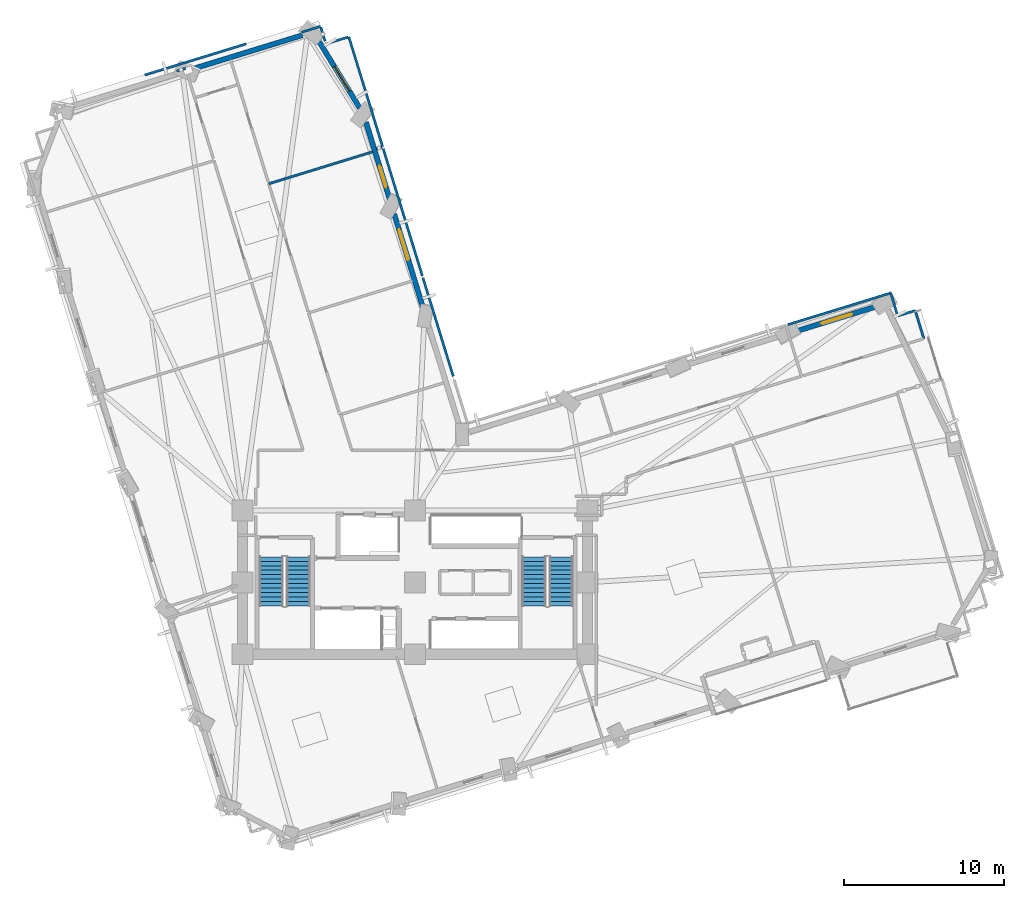
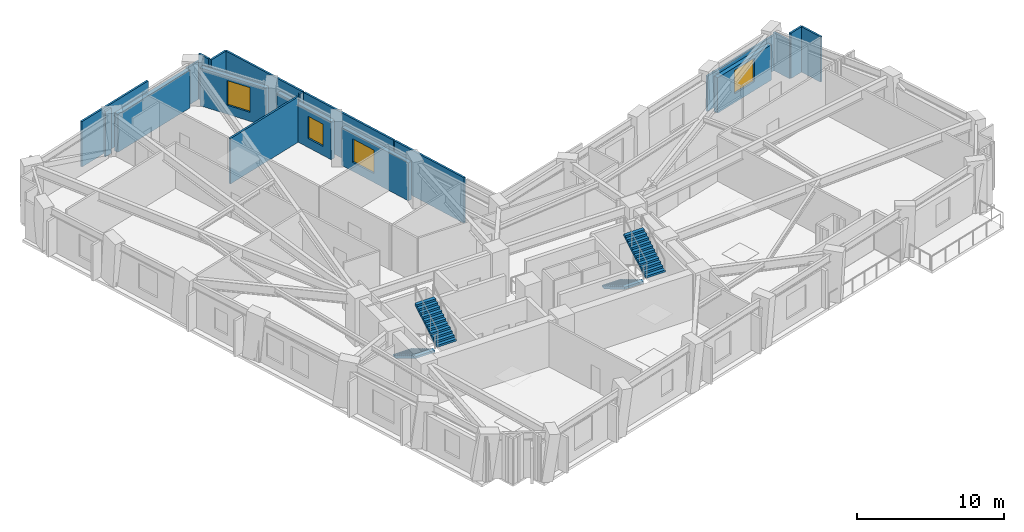
# One storey, part 10 of 14: 19 walls, 4 stair flights, 4 windows, 4 openings, 2 elements without a shape of their own.
"""IFC4 building model written with IfcOpenShell, lengths in metres."""

from ifc_helpers import new_model, si_unit, direction, frame, frame_2d, origin, place, context, subcontext, project, spatial, polyline, rectangle, outline, extrude, material, layer, layer_set, type_object, element, fill, aggregate, save


model = new_model("IFC4")

# Units and contexts
model_context = context("Model", 3, precision=1e-05, world=origin(), true_north=direction((0.0, 1.0)))
body_context = subcontext(model_context, "Body", "Model", "MODEL_VIEW")
ifc_project = project(units=[si_unit("LENGTHUNIT", "METRE"), si_unit("AREAUNIT", "SQUARE_METRE"), si_unit("VOLUMEUNIT", "CUBIC_METRE"), si_unit("PLANEANGLEUNIT", "RADIAN"), si_unit("MASSUNIT", "GRAM", prefix="KILO")], contexts=[model_context])

# Site, building, storey
site_placement = place(None, origin())
site = spatial("IfcSite", under=ifc_project, at=site_placement, CompositionType="ELEMENT")
building_placement = place(site_placement, origin())
building = spatial("IfcBuilding", under=site, at=building_placement, Name="Gaonmaruhae Medical Tower", CompositionType="ELEMENT")
storey_placement = place(building_placement, frame((0.0, 0.0, 96.39990234375)))
storey = spatial("IfcBuildingStorey", under=building, at=storey_placement, Name="L22", CompositionType="ELEMENT", Elevation=96.39990234375)

# Wall, opening, window
ifc_material_1 = material(Name="Precast concrete C45/55", Category="concrete")
ifc_layer_1 = layer(ifc_material_1, 0.320068359375)
ifc_layer_set_1 = layer_set([ifc_layer_1], Name="Precast concrete C45/55")
wall_type_1 = type_object("IfcWallType", Name="EW-320 Lower Precast Masonry-Frame Facade Wall", PredefinedType="SOLIDWALL", material=ifc_layer_set_1)
wall_1_placement = place(storey_placement, frame((48.612060546875, 28.005859375, 0.0), z_axis=(0.0, 0.0, 1.0), x_axis=(0.955793658596, 0.294038232527, 0.0)))
wall_1 = element("IfcWall", 1, at=wall_1_placement, inside=storey, type_object=wall_type_1, Name="L22 Precast Masonry-Frame Wall E03-EN01", PredefinedType="SOLIDWALL", context=body_context, shape_type="SweptSolid", body=[
    extrude(rectangle(XDim=5.404541015625, YDim=0.320068359375, at=frame_2d((2.7021484375, 0.0))), origin(), (0.0, 0.0, 1.0), 2.945068359375),
])
opening_1_placement = place(wall_1_placement, frame((1.697998046875, 0.0, 0.75)))
opening_1 = element("IfcOpeningElement", 2, at=opening_1_placement, cuts=wall_1, Name="Opening WN-02", PredefinedType="OPENING", context=body_context, shape_type="SweptSolid", body=[
    extrude(rectangle(XDim=2.0, YDim=1.949951171875, at=frame_2d((1.0, 0.97509765625))), frame((0.0, 0.169921875, 0.0), z_axis=(0.0, -1.0, 0.0), x_axis=(1.0, 0.0, 0.0)), (0.0, 0.0, 1.0), 0.340087890625),
])
ifc_material_2 = material(Name="Anodised aluminium and Low-E double glazing", Category="aluminium")
window_type_1 = type_object("IfcWindowType", Name="WN-02 Double-Bed Ward Punched Window 2000x1950", PartitioningType="SINGLE_PANEL", PredefinedType="WINDOW", material=ifc_material_2)
window_1_placement = place(opening_1_placement, origin())
window_1 = element("IfcWindow", 3, at=window_1_placement, inside=storey, type_object=window_type_1, Name="L22 Modular Facade Window E03", OverallHeight=1.949951171875, OverallWidth=2.0, PartitioningType="SINGLE_PANEL", PredefinedType="WINDOW", context=body_context, shape_type="SweptSolid", body=[
    extrude(rectangle(XDim=2.0, YDim=1.949951171875, at=frame_2d((1.0, 0.97509765625))), frame((0.0, 0.030029296875, 0.0), z_axis=(0.0, -1.0, 0.0), x_axis=(1.0, 0.0, 0.0)), (0.0, 0.0, 1.0), 0.06005859375),
])
fill(opening_1, window_1)

wall_2_placement = place(storey_placement, frame((23.4990234375, 35.35791015625, 0.0), z_axis=(0.0, 0.0, 1.0), x_axis=(0.294025193447, -0.955797669812, 0.0)))
wall_2 = element("IfcWall", 4, at=wall_2_placement, inside=storey, type_object=wall_type_1, Name="L22 Precast Masonry-Frame Wall NE01-NE02", PredefinedType="SOLIDWALL", context=body_context, shape_type="SweptSolid", body=[
    extrude(rectangle(XDim=6.22265625, YDim=0.320068359375, at=frame_2d((3.111328125, 0.0))), origin(), (0.0, 0.0, 1.0), 3.1650390625),
])
opening_2_placement = place(wall_2_placement, frame((1.0087890625, 0.0, 0.75)))
opening_2 = element("IfcOpeningElement", 5, at=opening_2_placement, cuts=wall_2, Name="Opening WN-02", PredefinedType="OPENING", context=body_context, shape_type="SweptSolid", body=[
    extrude(rectangle(XDim=2.0, YDim=1.949951171875, at=frame_2d((1.0, 0.97509765625))), frame((0.0, 0.169921875, 0.0), z_axis=(0.0, -1.0, 0.0), x_axis=(1.0, 0.0, 0.0)), (0.0, 0.0, 1.0), 0.340087890625),
])
window_2_placement = place(opening_2_placement, origin())
window_2 = element("IfcWindow", 6, at=window_2_placement, inside=storey, type_object=window_type_1, Name="L22 Modular Facade Window NE01", OverallHeight=1.949951171875, OverallWidth=2.0, PartitioningType="SINGLE_PANEL", PredefinedType="WINDOW", context=body_context, shape_type="SweptSolid", body=[
    extrude(rectangle(XDim=2.0, YDim=1.949951171875, at=frame_2d((1.0, 0.97509765625))), frame((0.0, 0.030029296875, 0.0), z_axis=(0.0, -1.0, 0.0), x_axis=(1.0, 0.0, 0.0)), (0.0, 0.0, 1.0), 0.06005859375),
])
fill(opening_2, window_2)

wall_3_placement = place(storey_placement, frame((21.730712890625, 41.106201171875, 0.0), z_axis=(0.0, 0.0, 1.0), x_axis=(0.293997472896, -0.955806196847, 0.0)))
wall_3 = element("IfcWall", 7, at=wall_3_placement, inside=storey, type_object=wall_type_1, Name="L22 Precast Masonry-Frame Wall NE02-NE03", PredefinedType="SOLIDWALL", context=body_context, shape_type="SweptSolid", body=[
    extrude(rectangle(XDim=5.04736328125, YDim=0.320068359375, at=frame_2d((2.523681640625, 0.0))), origin(), (0.0, 0.0, 1.0), 3.1650390625),
])
opening_3_placement = place(wall_3_placement, frame((2.873046875, 0.0, 0.75)))
opening_3 = element("IfcOpeningElement", 8, at=opening_3_placement, cuts=wall_3, Name="Opening WN-03", PredefinedType="OPENING", context=body_context, shape_type="SweptSolid", body=[
    extrude(rectangle(XDim=1.39990234375, YDim=1.85009765625, at=frame_2d((0.699951171875, 0.925048828125))), frame((0.0, 0.169921875, 0.0), z_axis=(0.0, -1.0, 0.0), x_axis=(1.0, 0.0, 0.0)), (0.0, 0.0, 1.0), 0.340087890625),
])
window_type_2 = type_object("IfcWindowType", Name="WN-03 Isolation Ward Punched Window 1400x1850", PartitioningType="SINGLE_PANEL", PredefinedType="WINDOW", material=ifc_material_2)
window_3_placement = place(opening_3_placement, origin())
window_3 = element("IfcWindow", 9, at=window_3_placement, inside=storey, type_object=window_type_2, Name="L22 Modular Facade Window NE02", OverallHeight=1.85009765625, OverallWidth=1.39990234375, PartitioningType="SINGLE_PANEL", PredefinedType="WINDOW", context=body_context, shape_type="SweptSolid", body=[
    extrude(rectangle(XDim=1.39990234375, YDim=1.85009765625, at=frame_2d((0.699951171875, 0.925048828125))), frame((0.0, 0.030029296875, 0.0), z_axis=(0.0, -1.0, 0.0), x_axis=(1.0, 0.0, 0.0)), (0.0, 0.0, 1.0), 0.06005859375),
])
fill(opening_3, window_3)

wall_4_placement = place(storey_placement, frame((18.662109375, 46.366943359375, 0.0), z_axis=(0.0, 0.0, 1.0), x_axis=(0.522196965962, -0.852824910952, 0.0)))
wall_4 = element("IfcWall", 10, at=wall_4_placement, inside=storey, type_object=wall_type_1, Name="L22 Precast Masonry-Frame Wall NE03-N01", PredefinedType="SOLIDWALL", context=body_context, shape_type="SweptSolid", body=[
    extrude(rectangle(XDim=5.128173828125, YDim=0.320068359375, at=frame_2d((2.56396484375, 0.0))), origin(), (0.0, 0.0, 1.0), 3.1650390625),
])
opening_4_placement = place(wall_4_placement, frame((2.09326171875, 0.0, 0.75)))
opening_4 = element("IfcOpeningElement", 11, at=opening_4_placement, cuts=wall_4, Name="Opening WN-04", PredefinedType="OPENING", context=body_context, shape_type="SweptSolid", body=[
    extrude(rectangle(XDim=1.800048828125, YDim=2.050048828125, at=frame_2d((0.89990234375, 1.02490234375))), frame((0.0, 0.169921875, 0.0), z_axis=(0.0, -1.0, 0.0), x_axis=(1.0, 0.0, 0.0)), (0.0, 0.0, 1.0), 0.340087890625),
])
window_type_3 = type_object("IfcWindowType", Name="WN-04 Clinic & Consult Punched Window 1800x2050", PartitioningType="SINGLE_PANEL", PredefinedType="WINDOW", material=ifc_material_2)
window_4_placement = place(opening_4_placement, origin())
window_4 = element("IfcWindow", 12, at=window_4_placement, inside=storey, type_object=window_type_3, Name="L22 Modular Facade Window NE03", OverallHeight=2.050048828125, OverallWidth=1.800048828125, PartitioningType="SINGLE_PANEL", PredefinedType="WINDOW", context=body_context, shape_type="SweptSolid", body=[
    extrude(rectangle(XDim=1.800048828125, YDim=2.050048828125, at=frame_2d((0.89990234375, 1.02490234375))), frame((0.0, 0.030029296875, 0.0), z_axis=(0.0, -1.0, 0.0), x_axis=(1.0, 0.0, 0.0)), (0.0, 0.0, 1.0), 0.06005859375),
])
fill(opening_4, window_4)

# Walls
wall_5_placement = place(storey_placement, frame((10.840576171875, 44.42529296875, 0.0), z_axis=(0.0, 0.0, 1.0), x_axis=(0.95578995853, 0.294050259603, 0.0)))
element("IfcWall", 13, at=wall_5_placement, inside=storey, type_object=wall_type_1, Name="L22 Precast Masonry-Frame Wall N01-N02", PredefinedType="SOLIDWALL", context=body_context, shape_type="SweptSolid", body=[
    extrude(rectangle(XDim=7.230712890625, YDim=0.320068359375, at=frame_2d((3.615234375, 0.0))), origin(), (0.0, 0.0, 1.0), 3.1650390625),
])
ifc_material_3 = material(Name="Gypsum board partition", Category="gypsum")
ifc_layer_2 = layer(ifc_material_3, 0.14990234375)
ifc_layer_set_2 = layer_set([ifc_layer_2], Name="Gypsum board partition")
wall_type_2 = type_object("IfcWallType", Name="PW-150 Rated Clinical Corridor Partition", PredefinedType="PARTITIONING", material=ifc_layer_set_2)
wall_6_placement = place(storey_placement, frame((9.8779296875, 44.306884765625, 0.0), z_axis=(0.0, 0.0, 1.0), x_axis=(0.955553962092, 0.294816257234, 0.0)))
element("IfcWall", 14, at=wall_6_placement, inside=storey, type_object=wall_type_2, Name="L22 Interior Partition L22-WOF07-54", PredefinedType="PARTITIONING", context=body_context, shape_type="SweptSolid", body=[
    extrude(rectangle(XDim=0.587158203125, YDim=0.14990234375, at=frame_2d((0.29345703125, 0.0))), origin(), (0.0, 0.0, 1.0), 3.780029296875),
])
wall_7_placement = place(storey_placement, frame((48.1259765625, 28.431884765625, 0.0), z_axis=(0.0, 0.0, 1.0), x_axis=(0.95579856253, 0.294022291445, 0.0)))
element("IfcWall", 15, at=wall_7_placement, inside=storey, type_object=wall_type_2, Name="L22 Interior Partition L22-IE03-71", PredefinedType="PARTITIONING", context=body_context, shape_type="SweptSolid", body=[
    extrude(rectangle(XDim=6.748291015625, YDim=0.14990234375, at=frame_2d((3.3740234375, 0.0))), origin(), (0.0, 0.0, 1.0), 2.945068359375),
])
wall_8_placement = place(storey_placement, frame((54.575927734375, 30.416015625, 0.0), z_axis=(0.0, 0.0, 1.0), x_axis=(0.294028677657, -0.955796597983, 0.0)))
element("IfcWall", 16, at=wall_8_placement, inside=storey, type_object=wall_type_2, Name="L22 Interior Partition L22-IE03-72", PredefinedType="PARTITIONING", context=body_context, shape_type="SweptSolid", body=[
    extrude(rectangle(XDim=1.50048828125, YDim=0.14990234375, at=frame_2d((0.750244140625, 0.0))), origin(), (0.0, 0.0, 1.0), 3.1650390625),
])
wall_9_placement = place(storey_placement, frame((55.01708984375, 28.98193359375, 0.0), z_axis=(0.0, 0.0, 1.0), x_axis=(0.955570492983, 0.294762672231, 0.0)))
element("IfcWall", 17, at=wall_9_placement, inside=storey, type_object=wall_type_2, Name="L22 Interior Partition L22-IE03-73", PredefinedType="PARTITIONING", context=body_context, shape_type="SweptSolid", body=[
    extrude(rectangle(XDim=1.140625, YDim=0.14990234375, at=frame_2d((0.5703125, 0.0))), origin(), (0.0, 0.0, 1.0), 3.780029296875),
])
wall_10_placement = place(storey_placement, frame((56.10693359375, 29.318115234375, 0.0), z_axis=(0.0, 0.0, 1.0), x_axis=(0.293973982394, -0.955813422, 0.0)))
element("IfcWall", 18, at=wall_10_placement, inside=storey, type_object=wall_type_2, Name="L22 Interior Partition L22-IE03-74", PredefinedType="PARTITIONING", context=body_context, shape_type="SweptSolid", body=[
    extrude(rectangle(XDim=1.84033203125, YDim=0.14990234375, at=frame_2d((0.920166015625, 0.0))), origin(), (0.0, 0.0, 1.0), 3.780029296875),
])
wall_11_placement = place(storey_placement, frame((25.301025390625, 31.3701171875, 0.0), z_axis=(0.0, 0.0, 1.0), x_axis=(0.294112406625, -0.955770836691, 0.0)))
element("IfcWall", 19, at=wall_11_placement, inside=storey, type_object=wall_type_2, Name="L22 Interior Partition L22-IN01-77", PredefinedType="PARTITIONING", context=body_context, shape_type="SweptSolid", body=[
    extrude(rectangle(XDim=6.459716796875, YDim=0.14990234375, at=frame_2d((3.22998046875, 0.0))), origin(), (0.0, 0.0, 1.0), 3.780029296875),
])
wall_12_placement = place(storey_placement, frame((15.64501953125, 37.2509765625, 0.0), z_axis=(0.0, 0.0, 1.0), x_axis=(0.95579449844, 0.294035502537, 0.0)))
element("IfcWall", 20, at=wall_12_placement, inside=storey, type_object=wall_type_2, Name="L22 Interior Partition L22-IN02-79", PredefinedType="PARTITIONING", context=body_context, shape_type="SweptSolid", body=[
    extrude(rectangle(XDim=6.815185546875, YDim=0.14990234375, at=frame_2d((3.40771484375, 0.0))), origin(), (0.0, 0.0, 1.0), 3.780029296875),
])
wall_13_placement = place(storey_placement, frame((22.81396484375, 39.4560546875, 0.0), z_axis=(0.0, 0.0, 1.0), x_axis=(0.294036476826, -0.955794198714, 0.0)))
element("IfcWall", 21, at=wall_13_placement, inside=storey, type_object=wall_type_2, Name="L22 Interior Partition L22-IN02-80", PredefinedType="PARTITIONING", context=body_context, shape_type="SweptSolid", body=[
    extrude(rectangle(XDim=8.339599609375, YDim=0.14990234375, at=frame_2d((4.169921875, 0.0))), origin(), (0.0, 0.0, 1.0), 3.780029296875),
])
wall_14_placement = place(storey_placement, frame((20.660888671875, 46.452880859375, 0.0), z_axis=(0.0, 0.0, 1.0), x_axis=(0.294047725332, -0.955790738199, 0.0)))
element("IfcWall", 22, at=wall_14_placement, inside=storey, type_object=wall_type_2, Name="L22 Interior Partition L22-IN03-81", PredefinedType="PARTITIONING", context=body_context, shape_type="SweptSolid", body=[
    extrude(rectangle(XDim=7.2001953125, YDim=0.14990234375, at=frame_2d((3.60009765625, 0.0))), origin(), (0.0, 0.0, 1.0), 3.780029296875),
])
wall_15_placement = place(storey_placement, frame((22.72998046875, 39.555908203125, 0.0), z_axis=(0.0, 0.0, 1.0), x_axis=(-0.955865987396, -0.293803019284, 0.0)))
element("IfcWall", 23, at=wall_15_placement, inside=storey, type_object=wall_type_2, Name="L22 Interior Partition L22-IN03-82", PredefinedType="PARTITIONING", context=body_context, shape_type="SweptSolid", body=[
    extrude(rectangle(XDim=0.364013671875, YDim=0.14990234375, at=frame_2d((0.18212890625, 0.0))), origin(), (0.0, 0.0, 1.0), 3.780029296875),
])
wall_16_placement = place(storey_placement, frame((17.696044921875, 46.73291015625, 0.0), z_axis=(0.0, 0.0, 1.0), x_axis=(0.955745257155, 0.294195519043, 0.0)))
element("IfcWall", 24, at=wall_16_placement, inside=storey, type_object=wall_type_2, Name="L22 Interior Partition L22-IN03-84", PredefinedType="PARTITIONING", context=body_context, shape_type="SweptSolid", body=[
    extrude(rectangle(XDim=1.25146484375, YDim=0.14990234375, at=frame_2d((0.625732421875, 0.0))), origin(), (0.0, 0.0, 1.0), 3.1650390625),
])
wall_17_placement = place(storey_placement, frame((18.906982421875, 47.052978515625, 0.0), z_axis=(0.0, 0.0, 1.0), x_axis=(0.294572421732, -0.955629158385, 0.0)))
element("IfcWall", 25, at=wall_17_placement, inside=storey, type_object=wall_type_2, Name="L22 Interior Partition L22-IN03-85", PredefinedType="PARTITIONING", context=body_context, shape_type="SweptSolid", body=[
    extrude(rectangle(XDim=0.916748046875, YDim=0.14990234375, at=frame_2d((0.45849609375, 0.0))), origin(), (0.0, 0.0, 1.0), 3.780029296875),
])
wall_18_placement = place(storey_placement, frame((19.22802734375, 46.011962890625, 0.0), z_axis=(0.0, 0.0, 1.0), x_axis=(0.955804505271, 0.294002972272, 0.0)))
element("IfcWall", 26, at=wall_18_placement, inside=storey, type_object=wall_type_2, Name="L22 Interior Partition L22-IN03-86", PredefinedType="PARTITIONING", context=body_context, shape_type="SweptSolid", body=[
    extrude(rectangle(XDim=1.448974609375, YDim=0.14990234375, at=frame_2d((0.724609375, 0.0))), origin(), (0.0, 0.0, 1.0), 3.780029296875),
])
wall_19_placement = place(storey_placement, frame((7.8798828125, 44.05908203125, 0.0), z_axis=(0.0, 0.0, 1.0), x_axis=(0.955824308127, 0.29393858541, 0.0)))
element("IfcWall", 27, at=wall_19_placement, inside=storey, type_object=wall_type_2, Name="L22 Interior Partition L22-RM01-88", PredefinedType="PARTITIONING", context=body_context, shape_type="SweptSolid", body=[
    extrude(rectangle(XDim=6.640625, YDim=0.14990234375, at=frame_2d((3.3203125, 0.0))), origin(), (0.0, 0.0, 1.0), 3.780029296875),
])

# Stair, stair flights
ifc_material_4 = material(Name="Concrete C40/50", Category="concrete")
stair_type = type_object("IfcStairType", Name="ST-T1 Primary Core Escape Dogleg Stair", PredefinedType="TWO_QUARTER_TURN_STAIR", material=ifc_material_4)
stair_1_placement = place(storey_placement, origin())
stair_1 = element("IfcStair", 28, at=stair_1_placement, inside=storey, type_object=stair_type, Name="L22 Protected Escape Stair ST-01", PredefinedType="TWO_QUARTER_TURN_STAIR")
stair_flight_type = type_object("IfcStairFlightType", Name="SF-T1 Primary Core Precast Stair Flight", PredefinedType="STRAIGHT", material=ifc_material_4)
stair_flight_1_placement = place(storey_placement, frame((15.800048828125, 13.89990234375, 0.0), z_axis=(0.0, 0.0, 1.0), x_axis=(0.0, -1.0, 0.0)))
stair_flight_1 = element("IfcStairFlight", 29, at=stair_flight_1_placement, type_object=stair_flight_type, Name="ST-01 flight 1", NumberOfRisers=12, NumberOfTreads=11, PredefinedType="STRAIGHT", RiserHeight=0.166666667, TreadLength=0.28, context=body_context, shape_type="SweptSolid", body=[
    extrude(outline(polyline([(0.0, 0.0), (0.0, 0.166748046875), (0.280029296875, 0.166748046875), (0.280029296875, 0.333251953125), (0.56005859375, 0.333251953125), (0.56005859375, 0.5), (0.840087890625, 0.5), (0.840087890625, 0.666748046875), (1.1201171875, 0.666748046875), (1.1201171875, 0.833251953125), (1.39990234375, 0.833251953125), (1.39990234375, 1.0), (1.679931640625, 1.0), (1.679931640625, 1.166748046875), (1.9599609375, 1.166748046875), (1.9599609375, 1.333251953125), (2.239990234375, 1.333251953125), (2.239990234375, 1.5), (2.52001953125, 1.5), (2.52001953125, 1.666748046875), (2.800048828125, 1.666748046875), (2.800048828125, 1.833251953125), (3.080078125, 1.833251953125), (3.080078125, 2.0), (3.080078125, 1.658935546875), (0.29296875, 0.0), (0.0, 0.0)])), frame((0.0, 0.75, 0.0), z_axis=(0.0, -1.0, 0.0), x_axis=(1.0, 0.0, 0.0)), (0.0, 0.0, 1.0), 1.5),
])
stair_flight_2_placement = place(storey_placement, frame((17.5, 10.820068359375, 2.0), z_axis=(0.0, 0.0, 1.0), x_axis=(0.0, 1.0, 0.0)))
stair_flight_2 = element("IfcStairFlight", 30, at=stair_flight_2_placement, type_object=stair_flight_type, Name="ST-01 flight 2", NumberOfRisers=12, NumberOfTreads=11, PredefinedType="STRAIGHT", RiserHeight=0.166666667, TreadLength=0.28, context=body_context, shape_type="SweptSolid", body=[
    extrude(outline(polyline([(0.0, 0.0), (0.0, 0.166748046875), (0.280029296875, 0.166748046875), (0.280029296875, 0.333251953125), (0.56005859375, 0.333251953125), (0.56005859375, 0.5), (0.840087890625, 0.5), (0.840087890625, 0.666748046875), (1.1201171875, 0.666748046875), (1.1201171875, 0.833251953125), (1.39990234375, 0.833251953125), (1.39990234375, 1.0), (1.679931640625, 1.0), (1.679931640625, 1.166748046875), (1.9599609375, 1.166748046875), (1.9599609375, 1.333251953125), (2.239990234375, 1.333251953125), (2.239990234375, 1.5), (2.52001953125, 1.5), (2.52001953125, 1.666748046875), (2.800048828125, 1.666748046875), (2.800048828125, 1.833251953125), (3.080078125, 1.833251953125), (3.080078125, 2.0), (3.080078125, 1.658935546875), (0.29296875, 0.0), (0.0, 0.0)])), frame((0.0, 0.75, 0.0), z_axis=(0.0, -1.0, 0.0), x_axis=(1.0, 0.0, 0.0)), (0.0, 0.0, 1.0), 1.5),
])
aggregate(stair_1, [stair_flight_1, stair_flight_2])

stair_2_placement = place(storey_placement, origin())
stair_2 = element("IfcStair", 31, at=stair_2_placement, inside=storey, type_object=stair_type, Name="L22 Protected Escape Stair ST-02", PredefinedType="TWO_QUARTER_TURN_STAIR")
stair_flight_3_placement = place(storey_placement, frame((32.25, 13.89990234375, 0.0), z_axis=(0.0, 0.0, 1.0), x_axis=(0.0, -1.0, 0.0)))
stair_flight_3 = element("IfcStairFlight", 32, at=stair_flight_3_placement, type_object=stair_flight_type, Name="ST-02 flight 1", NumberOfRisers=12, NumberOfTreads=11, PredefinedType="STRAIGHT", RiserHeight=0.166666667, TreadLength=0.28, context=body_context, shape_type="SweptSolid", body=[
    extrude(outline(polyline([(0.0, 0.0), (0.0, 0.166748046875), (0.280029296875, 0.166748046875), (0.280029296875, 0.333251953125), (0.56005859375, 0.333251953125), (0.56005859375, 0.5), (0.840087890625, 0.5), (0.840087890625, 0.666748046875), (1.1201171875, 0.666748046875), (1.1201171875, 0.833251953125), (1.39990234375, 0.833251953125), (1.39990234375, 1.0), (1.679931640625, 1.0), (1.679931640625, 1.166748046875), (1.9599609375, 1.166748046875), (1.9599609375, 1.333251953125), (2.239990234375, 1.333251953125), (2.239990234375, 1.5), (2.52001953125, 1.5), (2.52001953125, 1.666748046875), (2.800048828125, 1.666748046875), (2.800048828125, 1.833251953125), (3.080078125, 1.833251953125), (3.080078125, 2.0), (3.080078125, 1.658935546875), (0.29296875, 0.0), (0.0, 0.0)])), frame((0.0, 0.75, 0.0), z_axis=(0.0, -1.0, 0.0), x_axis=(1.0, 0.0, 0.0)), (0.0, 0.0, 1.0), 1.5),
])
stair_flight_4_placement = place(storey_placement, frame((33.949951171875, 10.820068359375, 2.0), z_axis=(0.0, 0.0, 1.0), x_axis=(0.0, 1.0, 0.0)))
stair_flight_4 = element("IfcStairFlight", 33, at=stair_flight_4_placement, type_object=stair_flight_type, Name="ST-02 flight 2", NumberOfRisers=12, NumberOfTreads=11, PredefinedType="STRAIGHT", RiserHeight=0.166666667, TreadLength=0.28, context=body_context, shape_type="SweptSolid", body=[
    extrude(outline(polyline([(0.0, 0.0), (0.0, 0.166748046875), (0.280029296875, 0.166748046875), (0.280029296875, 0.333251953125), (0.56005859375, 0.333251953125), (0.56005859375, 0.5), (0.840087890625, 0.5), (0.840087890625, 0.666748046875), (1.1201171875, 0.666748046875), (1.1201171875, 0.833251953125), (1.39990234375, 0.833251953125), (1.39990234375, 1.0), (1.679931640625, 1.0), (1.679931640625, 1.166748046875), (1.9599609375, 1.166748046875), (1.9599609375, 1.333251953125), (2.239990234375, 1.333251953125), (2.239990234375, 1.5), (2.52001953125, 1.5), (2.52001953125, 1.666748046875), (2.800048828125, 1.666748046875), (2.800048828125, 1.833251953125), (3.080078125, 1.833251953125), (3.080078125, 2.0), (3.080078125, 1.658935546875), (0.29296875, 0.0), (0.0, 0.0)])), frame((0.0, 0.75, 0.0), z_axis=(0.0, -1.0, 0.0), x_axis=(1.0, 0.0, 0.0)), (0.0, 0.0, 1.0), 1.5),
])
aggregate(stair_2, [stair_flight_3, stair_flight_4])

save(model, "model.ifc")
